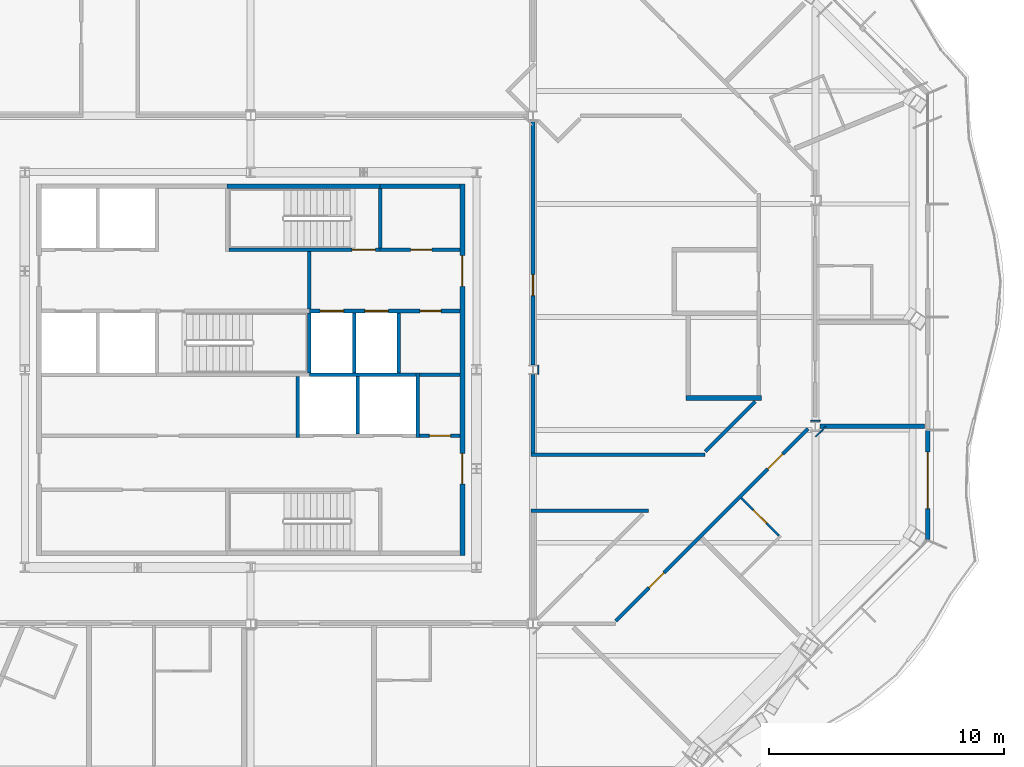
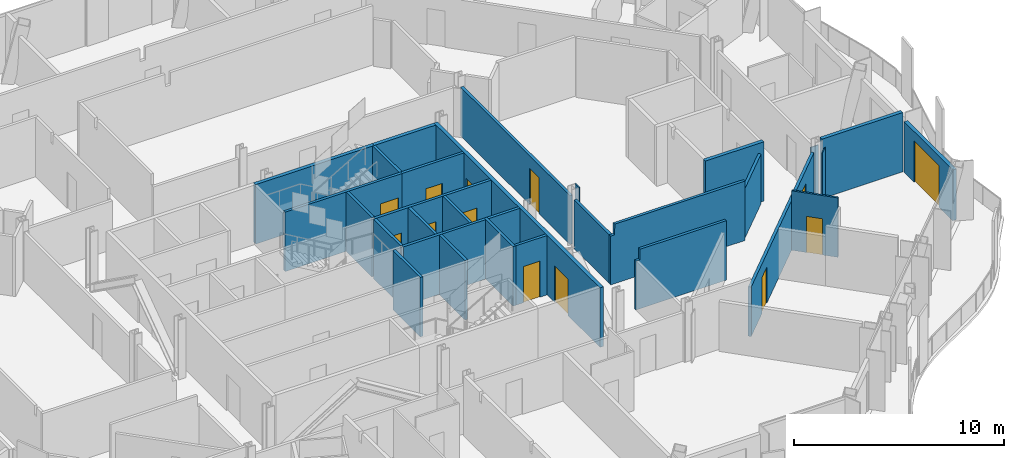
# One storey, part 10 of 22: 30 walls, 13 doors, 13 openings.
"""IFC4 building model written with IfcOpenShell, lengths in metres."""

from ifc_helpers import new_model, si_unit, direction, frame, frame_2d, origin, place, context, subcontext, project, spatial, polyline, rectangle, outline, extrude, material, layer, layer_set, type_object, element, fill, save


model = new_model("IFC4")

# Units and contexts
model_context = context("Model", 3, precision=1e-05, world=origin(), true_north=direction((0.0, 1.0)))
body_context = subcontext(model_context, "Body", "Model", "MODEL_VIEW")
ifc_project = project(units=[si_unit("LENGTHUNIT", "METRE"), si_unit("AREAUNIT", "SQUARE_METRE"), si_unit("VOLUMEUNIT", "CUBIC_METRE"), si_unit("PLANEANGLEUNIT", "RADIAN"), si_unit("MASSUNIT", "GRAM", prefix="KILO")], contexts=[model_context])

# Site, building, storey
site_placement = place(None, origin())
site = spatial("IfcSite", under=ifc_project, at=site_placement, CompositionType="ELEMENT")
building_placement = place(site_placement, origin())
building = spatial("IfcBuilding", under=site, at=building_placement, Name="Cairn Pilgrim Tower", CompositionType="ELEMENT")
storey_placement = place(building_placement, frame((0.0, 0.0, 175.800048828125)))
storey = spatial("IfcBuildingStorey", under=building, at=storey_placement, Name="L44", CompositionType="ELEMENT", Elevation=175.800048828125)

# Wall, opening, door
ifc_material_1 = material(Name="Bronze anodised aluminium insulated sandwich panel with mineral wool fill", Category="aluminium")
ifc_layer_1 = layer(ifc_material_1, 0.199951171875)
ifc_layer_set_1 = layer_set([ifc_layer_1], Name="BRONZE INFILL FRAME WALL 200")
wall_type_1 = type_object("IfcWallType", Name="BRONZE INFILL FRAME WALL 200", PredefinedType="NOTDEFINED", material=ifc_layer_set_1)
wall_1_placement = place(storey_placement, frame((35.97509765625, -4.806396484375, 0.0), z_axis=(0.0, 0.0, 1.0), x_axis=(0.0, 1.0, 0.0)))
wall_1 = element("IfcWall", 1, at=wall_1_placement, inside=storey, type_object=wall_type_1, Name="Bronze infill frame wall IW-E1", PredefinedType="NOTDEFINED", context=body_context, shape_type="SweptSolid", body=[
    extrude(rectangle(XDim=4.62646484375, YDim=0.199951171875, at=frame_2d((2.313232421875, 0.0))), origin(), (0.0, 0.0, 1.0), 2.949951171875),
])
opening_1_placement = place(wall_1_placement, frame((1.308349609375, 0.0, 0.0)))
opening_1 = element("IfcOpeningElement", 2, at=opening_1_placement, cuts=wall_1, Name="Opening 4404B", PredefinedType="OPENING", context=body_context, shape_type="SweptSolid", body=[
    extrude(rectangle(XDim=2.39990234375, YDim=2.39990234375, at=frame_2d((1.199951171875, 1.199951171875))), frame((0.0, 0.10986328125, 0.0), z_axis=(0.0, -1.0, 0.0), x_axis=(1.0, 0.0, 0.0)), (0.0, 0.0, 1.0), 0.219970703125),
])
ifc_material_2 = material(Name="Bronze anodised aluminium frame with tinted low-E glass", Category="aluminium")
door_type_1 = type_object("IfcDoorType", Name="BALCONY SLIDING DOOR 2400x2400", OperationType="DOUBLE_DOOR_SLIDING", PredefinedType="DOOR", material=ifc_material_2)
door_1_placement = place(opening_1_placement, origin())
door_1 = element("IfcDoor", 3, at=door_1_placement, inside=storey, type_object=door_type_1, Name="Balcony sliding door 4404B", OperationType="SINGLE_SWING_LEFT", OverallHeight=2.39990234375, OverallWidth=2.39990234375, PredefinedType="DOOR", context=body_context, shape_type="SweptSolid", body=[
    extrude(rectangle(XDim=2.39990234375, YDim=2.39990234375, at=frame_2d((1.199951171875, 1.199951171875))), frame((0.0, 0.02490234375, 0.0), z_axis=(0.0, -1.0, 0.0), x_axis=(1.0, 0.0, 0.0)), (0.0, 0.0, 1.0), 0.050048828125),
])
fill(opening_1, door_1)

# Wall
ifc_material_3 = material(Name="Concrete C32/40", Category="concrete")
ifc_layer_2 = layer(ifc_material_3, 0.199951171875)
ifc_layer_set_2 = layer_set([ifc_layer_2], Name="CORE OUTER WALL 200 EI 120")
wall_type_2 = type_object("IfcWallType", Name="CORE OUTER WALL 200 EI 120", PredefinedType="SOLIDWALL", material=ifc_layer_set_2)
wall_2_placement = place(storey_placement, frame((12.699951171875, 10.199951171875, 0.0), z_axis=(0.0, 0.0, 1.0), x_axis=(1.0, 0.0, 0.0)))
element("IfcWall", 4, at=wall_2_placement, inside=storey, type_object=wall_type_2, Name="CW:L44:H12-3", PredefinedType="SOLIDWALL", context=body_context, shape_type="SweptSolid", body=[
    extrude(rectangle(XDim=3.400146484375, YDim=0.199951171875, at=frame_2d((1.7001953125, 0.0))), origin(), (0.0, 0.0, 1.0), 3.449951171875),
])

# Wall, openings, doors
wall_3_placement = place(storey_placement, frame((16.199951171875, -5.5, 0.0), z_axis=(0.0, 0.0, 1.0), x_axis=(0.0, 1.0, 0.0)))
wall_3 = element("IfcWall", 5, at=wall_3_placement, inside=storey, type_object=wall_type_2, Name="CW:L44:V29", PredefinedType="SOLIDWALL", context=body_context, shape_type="SweptSolid", body=[
    extrude(rectangle(XDim=15.800048828125, YDim=0.199951171875, at=frame_2d((7.89990234375, 0.0))), origin(), (0.0, 0.0, 1.0), 3.449951171875),
])
opening_2_placement = place(wall_3_placement, frame((3.050048828125, 0.0, 0.0)))
opening_2 = element("IfcOpeningElement", 6, at=opening_2_placement, cuts=wall_3, Name="Opening CD-E1", PredefinedType="OPENING", context=body_context, shape_type="SweptSolid", body=[
    extrude(rectangle(XDim=1.300048828125, YDim=2.10009765625, at=frame_2d((0.64990234375, 1.050048828125))), frame((0.0, 0.10986328125, 0.0), z_axis=(0.0, -1.0, 0.0), x_axis=(1.0, 0.0, 0.0)), (0.0, 0.0, 1.0), 0.219970703125),
])
opening_3_placement = place(wall_3_placement, frame((11.449951171875, 0.0, 0.0)))
opening_3 = element("IfcOpeningElement", 7, at=opening_3_placement, cuts=wall_3, Name="Opening CD-E2", PredefinedType="OPENING", context=body_context, shape_type="SweptSolid", body=[
    extrude(rectangle(XDim=1.300048828125, YDim=2.10009765625, at=frame_2d((0.64990234375, 1.050048828125))), frame((0.0, 0.10986328125, 0.0), z_axis=(0.0, -1.0, 0.0), x_axis=(1.0, 0.0, 0.0)), (0.0, 0.0, 1.0), 0.219970703125),
])
ifc_material_4 = material(Name="Painted steel", Category="steel")
door_type_2 = type_object("IfcDoorType", Name="CORE LOBBY DOOR 1300x2100", OperationType="DOUBLE_DOOR_SINGLE_SWING", PredefinedType="DOOR", material=ifc_material_4)
door_2_placement = place(opening_2_placement, origin())
door_2 = element("IfcDoor", 8, at=door_2_placement, inside=storey, type_object=door_type_2, Name="CD-E1", OperationType="DOUBLE_DOOR_SINGLE_SWING", OverallHeight=2.10009765625, OverallWidth=1.300048828125, PredefinedType="DOOR", context=body_context, shape_type="SweptSolid", body=[
    extrude(rectangle(XDim=1.300048828125, YDim=2.10009765625, at=frame_2d((0.64990234375, 1.050048828125))), frame((0.0, 0.02490234375, 0.0), z_axis=(0.0, -1.0, 0.0), x_axis=(1.0, 0.0, 0.0)), (0.0, 0.0, 1.0), 0.050048828125),
])
fill(opening_2, door_2)
door_3_placement = place(opening_3_placement, origin())
door_3 = element("IfcDoor", 9, at=door_3_placement, inside=storey, type_object=door_type_2, Name="CD-E2", OperationType="DOUBLE_DOOR_SINGLE_SWING", OverallHeight=2.10009765625, OverallWidth=1.300048828125, PredefinedType="DOOR", context=body_context, shape_type="SweptSolid", body=[
    extrude(rectangle(XDim=1.300048828125, YDim=2.10009765625, at=frame_2d((0.64990234375, 1.050048828125))), frame((0.0, 0.02490234375, 0.0), z_axis=(0.0, -1.0, 0.0), x_axis=(1.0, 0.0, 0.0)), (0.0, 0.0, 1.0), 0.050048828125),
])
fill(opening_3, door_3)

# Wall, opening, door
ifc_layer_3 = layer(ifc_material_3, 0.14990234375)
ifc_layer_set_3 = layer_set([ifc_layer_3], Name="CORE PARTITION 150 EI 60")
wall_type_3 = type_object("IfcWallType", Name="CORE PARTITION 150 EI 60", PredefinedType="PARTITIONING", material=ifc_layer_set_3)
wall_4_placement = place(storey_placement, frame((14.375, -0.39990234375, 0.0), z_axis=(0.0, 0.0, 1.0), x_axis=(1.0, 0.0, 0.0)))
wall_4 = element("IfcWall", 10, at=wall_4_placement, inside=storey, type_object=wall_type_3, Name="CW:L44:H06", PredefinedType="PARTITIONING", context=body_context, shape_type="SweptSolid", body=[
    extrude(rectangle(XDim=1.72509765625, YDim=0.14990234375, at=frame_2d((0.862548828125, 0.0))), origin(), (0.0, 0.0, 1.0), 3.449951171875),
])
opening_4_placement = place(wall_4_placement, frame((0.425048828125, 0.0, 0.0)))
opening_4 = element("IfcOpeningElement", 11, at=opening_4_placement, cuts=wall_4, Name="Opening RD-R2E", PredefinedType="OPENING", context=body_context, shape_type="SweptSolid", body=[
    extrude(rectangle(XDim=0.89990234375, YDim=2.10009765625, at=frame_2d((0.449951171875, 1.050048828125))), frame((0.0, 0.0849609375, 0.0), z_axis=(0.0, -1.0, 0.0), x_axis=(1.0, 0.0, 0.0)), (0.0, 0.0, 1.0), 0.169921875),
])
door_type_3 = type_object("IfcDoorType", Name="SERVICE ROOM DOOR 900x2100", OperationType="SINGLE_SWING_LEFT", PredefinedType="DOOR", material=ifc_material_4)
door_4_placement = place(opening_4_placement, origin())
door_4 = element("IfcDoor", 12, at=door_4_placement, inside=storey, type_object=door_type_3, Name="RD-R2E", OperationType="SINGLE_SWING_RIGHT", OverallHeight=2.10009765625, OverallWidth=0.89990234375, PredefinedType="DOOR", context=body_context, shape_type="SweptSolid", body=[
    extrude(rectangle(XDim=0.89990234375, YDim=2.10009765625, at=frame_2d((0.449951171875, 1.050048828125))), frame((0.0, 0.02490234375, 0.0), z_axis=(0.0, -1.0, 0.0), x_axis=(1.0, 0.0, 0.0)), (0.0, 0.0, 1.0), 0.050048828125),
])
fill(opening_4, door_4)

# Walls
wall_5_placement = place(storey_placement, frame((14.375, 2.199951171875, 0.0), z_axis=(0.0, 0.0, 1.0), x_axis=(1.0, 0.0, 0.0)))
element("IfcWall", 13, at=wall_5_placement, inside=storey, type_object=wall_type_3, Name="CW:L44:H08", PredefinedType="PARTITIONING", context=body_context, shape_type="SweptSolid", body=[
    extrude(rectangle(XDim=1.72509765625, YDim=0.14990234375, at=frame_2d((0.862548828125, 0.0))), origin(), (0.0, 0.0, 1.0), 3.449951171875),
])
ifc_layer_4 = layer(ifc_material_3, 0.14990234375)
ifc_layer_set_4 = layer_set([ifc_layer_4], Name="CORE SHAFT WALL 150 EI 120")
wall_type_4 = type_object("IfcWallType", Name="CORE SHAFT WALL 150 EI 120", PredefinedType="SOLIDWALL", material=ifc_layer_set_4)
wall_6_placement = place(storey_placement, frame((9.699951171875, 2.199951171875, 0.0), z_axis=(0.0, 0.0, 1.0), x_axis=(1.0, 0.0, 0.0)))
element("IfcWall", 14, at=wall_6_placement, inside=storey, type_object=wall_type_4, Name="CW:L44:H07-3", PredefinedType="SOLIDWALL", context=body_context, shape_type="SweptSolid", body=[
    extrude(rectangle(XDim=4.525146484375, YDim=0.14990234375, at=frame_2d((2.2626953125, 0.0))), origin(), (0.0, 0.0, 1.0), 3.449951171875),
])

# Wall, openings, doors
wall_7_placement = place(storey_placement, frame((9.699951171875, 4.89990234375, 0.0), z_axis=(0.0, 0.0, 1.0), x_axis=(1.0, 0.0, 0.0)))
wall_7 = element("IfcWall", 15, at=wall_7_placement, inside=storey, type_object=wall_type_4, Name="CW:L44:H09-3", PredefinedType="SOLIDWALL", context=body_context, shape_type="SweptSolid", body=[
    extrude(rectangle(XDim=6.400146484375, YDim=0.14990234375, at=frame_2d((3.2001953125, 0.0))), origin(), (0.0, 0.0, 1.0), 3.449951171875),
])
opening_5_placement = place(wall_7_placement, frame((0.449951171875, 0.0, 0.0)))
opening_5 = element("IfcOpeningElement", 16, at=opening_5_placement, cuts=wall_7, Name="Opening LD-FF1", PredefinedType="OPENING", context=body_context, shape_type="SweptSolid", body=[
    extrude(rectangle(XDim=1.0, YDim=2.10009765625, at=frame_2d((0.5, 1.050048828125))), frame((0.0, 0.0849609375, 0.0), z_axis=(0.0, -1.0, 0.0), x_axis=(1.0, 0.0, 0.0)), (0.0, 0.0, 1.0), 0.169921875),
])
opening_6_placement = place(wall_7_placement, frame((2.35009765625, 0.0, 0.0)))
opening_6 = element("IfcOpeningElement", 17, at=opening_6_placement, cuts=wall_7, Name="Opening LD-FF2", PredefinedType="OPENING", context=body_context, shape_type="SweptSolid", body=[
    extrude(rectangle(XDim=1.0, YDim=2.10009765625, at=frame_2d((0.5, 1.050048828125))), frame((0.0, 0.0849609375, 0.0), z_axis=(0.0, -1.0, 0.0), x_axis=(1.0, 0.0, 0.0)), (0.0, 0.0, 1.0), 0.169921875),
])
opening_7_placement = place(wall_7_placement, frame((4.699951171875, 0.0, 0.0)))
opening_7 = element("IfcOpeningElement", 18, at=opening_7_placement, cuts=wall_7, Name="Opening RD-R3E", PredefinedType="OPENING", context=body_context, shape_type="SweptSolid", body=[
    extrude(rectangle(XDim=0.89990234375, YDim=2.10009765625, at=frame_2d((0.449951171875, 1.050048828125))), frame((0.0, 0.0849609375, 0.0), z_axis=(0.0, -1.0, 0.0), x_axis=(1.0, 0.0, 0.0)), (0.0, 0.0, 1.0), 0.169921875),
])
ifc_material_5 = material(Name="Stainless steel", Category="steel")
door_type_4 = type_object("IfcDoorType", Name="LIFT LANDING DOOR FIRE 1000x2100", OperationType="DOUBLE_DOOR_SLIDING", PredefinedType="DOOR", material=ifc_material_5)
door_5_placement = place(opening_5_placement, origin())
door_5 = element("IfcDoor", 19, at=door_5_placement, inside=storey, type_object=door_type_4, Name="LANDING DOOR FF1", OperationType="DOUBLE_DOOR_SLIDING", OverallHeight=2.10009765625, OverallWidth=1.0, PredefinedType="DOOR", context=body_context, shape_type="SweptSolid", body=[
    extrude(rectangle(XDim=1.0, YDim=2.10009765625, at=frame_2d((0.5, 1.050048828125))), frame((0.0, 0.02490234375, 0.0), z_axis=(0.0, -1.0, 0.0), x_axis=(1.0, 0.0, 0.0)), (0.0, 0.0, 1.0), 0.050048828125),
])
fill(opening_5, door_5)
door_6_placement = place(opening_6_placement, origin())
door_6 = element("IfcDoor", 20, at=door_6_placement, inside=storey, type_object=door_type_4, Name="LANDING DOOR FF2", OperationType="DOUBLE_DOOR_SLIDING", OverallHeight=2.10009765625, OverallWidth=1.0, PredefinedType="DOOR", context=body_context, shape_type="SweptSolid", body=[
    extrude(rectangle(XDim=1.0, YDim=2.10009765625, at=frame_2d((0.5, 1.050048828125))), frame((0.0, 0.02490234375, 0.0), z_axis=(0.0, -1.0, 0.0), x_axis=(1.0, 0.0, 0.0)), (0.0, 0.0, 1.0), 0.050048828125),
])
fill(opening_6, door_6)
door_7_placement = place(opening_7_placement, origin())
door_7 = element("IfcDoor", 21, at=door_7_placement, inside=storey, type_object=door_type_3, Name="RD-R3E", OperationType="SINGLE_SWING_LEFT", OverallHeight=2.10009765625, OverallWidth=0.89990234375, PredefinedType="DOOR", context=body_context, shape_type="SweptSolid", body=[
    extrude(rectangle(XDim=0.89990234375, YDim=2.10009765625, at=frame_2d((0.449951171875, 1.050048828125))), frame((0.0, 0.02490234375, 0.0), z_axis=(0.0, -1.0, 0.0), x_axis=(1.0, 0.0, 0.0)), (0.0, 0.0, 1.0), 0.050048828125),
])
fill(opening_7, door_7)

# Wall, opening, door
wall_8_placement = place(storey_placement, frame((12.699951171875, 7.5, 0.0), z_axis=(0.0, 0.0, 1.0), x_axis=(1.0, 0.0, 0.0)))
wall_8 = element("IfcWall", 22, at=wall_8_placement, inside=storey, type_object=wall_type_4, Name="CW:L44:H11-2", PredefinedType="SOLIDWALL", context=body_context, shape_type="SweptSolid", body=[
    extrude(rectangle(XDim=3.400146484375, YDim=0.14990234375, at=frame_2d((1.7001953125, 0.0))), origin(), (0.0, 0.0, 1.0), 3.449951171875),
])
opening_8_placement = place(wall_8_placement, frame((1.300048828125, 0.0, 0.0)))
opening_8 = element("IfcOpeningElement", 23, at=opening_8_placement, cuts=wall_8, Name="Opening RD-R4E", PredefinedType="OPENING", context=body_context, shape_type="SweptSolid", body=[
    extrude(rectangle(XDim=0.89990234375, YDim=2.10009765625, at=frame_2d((0.449951171875, 1.050048828125))), frame((0.0, 0.0849609375, 0.0), z_axis=(0.0, -1.0, 0.0), x_axis=(1.0, 0.0, 0.0)), (0.0, 0.0, 1.0), 0.169921875),
])
door_8_placement = place(opening_8_placement, origin())
door_8 = element("IfcDoor", 24, at=door_8_placement, inside=storey, type_object=door_type_3, Name="RD-R4E", OperationType="SINGLE_SWING_RIGHT", OverallHeight=2.10009765625, OverallWidth=0.89990234375, PredefinedType="DOOR", context=body_context, shape_type="SweptSolid", body=[
    extrude(rectangle(XDim=0.89990234375, YDim=2.10009765625, at=frame_2d((0.449951171875, 1.050048828125))), frame((0.0, 0.02490234375, 0.0), z_axis=(0.0, -1.0, 0.0), x_axis=(1.0, 0.0, 0.0)), (0.0, 0.0, 1.0), 0.050048828125),
])
fill(opening_8, door_8)

# Walls
wall_9_placement = place(storey_placement, frame((9.199951171875, -0.47509765625, 0.0), z_axis=(0.0, 0.0, 1.0), x_axis=(0.0, 1.0, 0.0)))
element("IfcWall", 25, at=wall_9_placement, inside=storey, type_object=wall_type_4, Name="CW:L44:V20", PredefinedType="SOLIDWALL", context=body_context, shape_type="SweptSolid", body=[
    extrude(rectangle(XDim=2.60009765625, YDim=0.14990234375, at=frame_2d((1.300048828125, 0.0))), origin(), (0.0, 0.0, 1.0), 3.449951171875),
])
wall_10_placement = place(storey_placement, frame((9.699951171875, 4.97509765625, 0.0), z_axis=(0.0, 0.0, 1.0), x_axis=(0.0, 1.0, 0.0)))
element("IfcWall", 26, at=wall_10_placement, inside=storey, type_object=wall_type_4, Name="CW:L44:V22", PredefinedType="SOLIDWALL", context=body_context, shape_type="SweptSolid", body=[
    extrude(rectangle(XDim=2.449951171875, YDim=0.14990234375, at=frame_2d((1.22509765625, 0.0))), origin(), (0.0, 0.0, 1.0), 3.449951171875),
])
wall_11_placement = place(storey_placement, frame((11.60009765625, 2.27490234375, 0.0), z_axis=(0.0, 0.0, 1.0), x_axis=(0.0, 1.0, 0.0)))
element("IfcWall", 27, at=wall_11_placement, inside=storey, type_object=wall_type_4, Name="CW:L44:V23", PredefinedType="SOLIDWALL", context=body_context, shape_type="SweptSolid", body=[
    extrude(rectangle(XDim=2.550048828125, YDim=0.14990234375, at=frame_2d((1.27490234375, 0.0))), origin(), (0.0, 0.0, 1.0), 3.449951171875),
])
wall_12_placement = place(storey_placement, frame((11.75, -0.324951171875, 0.0), z_axis=(0.0, 0.0, 1.0), x_axis=(0.0, 1.0, 0.0)))
element("IfcWall", 28, at=wall_12_placement, inside=storey, type_object=wall_type_4, Name="CW:L44:V24", PredefinedType="SOLIDWALL", context=body_context, shape_type="SweptSolid", body=[
    extrude(rectangle(XDim=2.449951171875, YDim=0.14990234375, at=frame_2d((1.22509765625, 0.0))), origin(), (0.0, 0.0, 1.0), 3.449951171875),
])
wall_13_placement = place(storey_placement, frame((13.5, 2.27490234375, 0.0), z_axis=(0.0, 0.0, 1.0), x_axis=(0.0, 1.0, 0.0)))
element("IfcWall", 29, at=wall_13_placement, inside=storey, type_object=wall_type_4, Name="CW:L44:V27", PredefinedType="SOLIDWALL", context=body_context, shape_type="SweptSolid", body=[
    extrude(rectangle(XDim=2.550048828125, YDim=0.14990234375, at=frame_2d((1.27490234375, 0.0))), origin(), (0.0, 0.0, 1.0), 3.449951171875),
])
wall_14_placement = place(storey_placement, frame((14.300048828125, -0.47509765625, 0.0), z_axis=(0.0, 0.0, 1.0), x_axis=(0.0, 1.0, 0.0)))
element("IfcWall", 30, at=wall_14_placement, inside=storey, type_object=wall_type_4, Name="CW:L44:V28", PredefinedType="SOLIDWALL", context=body_context, shape_type="SweptSolid", body=[
    extrude(rectangle(XDim=2.75, YDim=0.14990234375, at=frame_2d((1.375, 0.0))), origin(), (0.0, 0.0, 1.0), 3.449951171875),
])

# Wall, opening, door
ifc_material_6 = material(Name="Gypsum partition")
ifc_layer_5 = layer(ifc_material_6, 0.10009765625)
ifc_layer_set_5 = layer_set([ifc_layer_5], Name="PARTITION 100 DRYWALL")
wall_type_5 = type_object("IfcWallType", Name="PARTITION 100 DRYWALL", PredefinedType="PARTITIONING", material=ifc_layer_set_5)
wall_15_placement = place(storey_placement, frame((29.66162109375, -4.655517578125, 0.0), z_axis=(0.0, 0.0, 1.0), x_axis=(-0.707160441348, 0.707053116953, 0.0)))
wall_15 = element("IfcWall", 31, at=wall_15_placement, inside=storey, type_object=wall_type_5, Name="PARTITION W035", PredefinedType="PARTITIONING", context=body_context, shape_type="SweptSolid", body=[
    extrude(rectangle(XDim=2.27490234375, YDim=0.10009765625, at=frame_2d((1.137451171875, 0.0))), origin(), (0.0, 0.0, 1.0), 3.449951171875),
])
opening_9_placement = place(wall_15_placement, frame((0.75, 0.0, 0.0)))
opening_9 = element("IfcOpeningElement", 32, at=opening_9_placement, cuts=wall_15, Name="Opening 4404A", PredefinedType="OPENING", context=body_context, shape_type="SweptSolid", body=[
    extrude(rectangle(XDim=0.800048828125, YDim=2.10009765625, at=frame_2d((0.39990234375, 1.050048828125))), frame((0.0, 0.06005859375, 0.0), z_axis=(0.0, -1.0, 0.0), x_axis=(1.0, 0.0, 0.0)), (0.0, 0.0, 1.0), 0.1201171875),
])
ifc_material_7 = material(Name="Timber door leaf", Category="wood")
door_type_5 = type_object("IfcDoorType", Name="WC DOOR 800x2100", OperationType="NOTDEFINED", PredefinedType="DOOR", material=ifc_material_7)
door_9_placement = place(opening_9_placement, frame((0.800048828125, 0.0, 0.0), z_axis=(0.0, 0.0, 1.0), x_axis=(-1.0, 0.0, 0.0)))
door_9 = element("IfcDoor", 33, at=door_9_placement, inside=storey, type_object=door_type_5, Name="DOOR 4404A", OperationType="SINGLE_SWING_RIGHT", OverallHeight=2.10009765625, OverallWidth=0.800048828125, PredefinedType="DOOR", context=body_context, shape_type="SweptSolid", body=[
    extrude(rectangle(XDim=0.800048828125, YDim=2.10009765625, at=frame_2d((0.39990234375, 1.050048828125))), frame((0.0, 0.02490234375, 0.0), z_axis=(0.0, -1.0, 0.0), x_axis=(1.0, 0.0, 0.0)), (0.0, 0.0, 1.0), 0.050048828125),
])
fill(opening_9, door_9)

# Wall, openings, doors
ifc_layer_6 = layer(ifc_material_6, 0.14990234375)
ifc_layer_set_6 = layer_set([ifc_layer_6], Name="PARTITION 150 DRYWALL EI 60")
wall_type_6 = type_object("IfcWallType", Name="PARTITION 150 DRYWALL EI 60", PredefinedType="PARTITIONING", material=ifc_layer_set_6)
wall_16_placement = place(storey_placement, frame((22.721923828125, -8.27197265625, 0.0), z_axis=(0.0, 0.0, 1.0), x_axis=(0.707106781187, 0.707106781187, 0.0)))
wall_16 = element("IfcWall", 34, at=wall_16_placement, inside=storey, type_object=wall_type_6, Name="PARTITION W025", PredefinedType="PARTITIONING", context=body_context, shape_type="SweptSolid", body=[
    extrude(rectangle(XDim=11.549072265625, YDim=0.14990234375, at=frame_2d((5.7744140625, 0.0))), origin(), (0.0, 0.0, 1.0), 2.8798828125),
])
opening_10_placement = place(wall_16_placement, frame((1.9912109375, 0.0, 0.0)))
opening_10 = element("IfcOpeningElement", 35, at=opening_10_placement, cuts=wall_16, Name="Opening 4403", PredefinedType="OPENING", context=body_context, shape_type="SweptSolid", body=[
    extrude(rectangle(XDim=0.89990234375, YDim=2.10009765625, at=frame_2d((0.449951171875, 1.050048828125))), frame((0.0, 0.0849609375, 0.0), z_axis=(0.0, -1.0, 0.0), x_axis=(1.0, 0.0, 0.0)), (0.0, 0.0, 1.0), 0.169921875),
])
opening_11_placement = place(wall_16_placement, frame((9.13134765625, 0.0, 0.0)))
opening_11 = element("IfcOpeningElement", 36, at=opening_11_placement, cuts=wall_16, Name="Opening 4404", PredefinedType="OPENING", context=body_context, shape_type="SweptSolid", body=[
    extrude(rectangle(XDim=0.89990234375, YDim=2.10009765625, at=frame_2d((0.449951171875, 1.050048828125))), frame((0.0, 0.0849609375, 0.0), z_axis=(0.0, -1.0, 0.0), x_axis=(1.0, 0.0, 0.0)), (0.0, 0.0, 1.0), 0.169921875),
])
door_type_6 = type_object("IfcDoorType", Name="ROOM DOOR 900x2100 FD30S", OperationType="NOTDEFINED", PredefinedType="DOOR", material=ifc_material_7)
door_10_placement = place(opening_11_placement, frame((0.89990234375, 0.0, 0.0), z_axis=(0.0, 0.0, 1.0), x_axis=(-1.0, 0.0, 0.0)))
door_10 = element("IfcDoor", 37, at=door_10_placement, inside=storey, type_object=door_type_6, Name="DOOR 4404", OperationType="SINGLE_SWING_RIGHT", OverallHeight=2.10009765625, OverallWidth=0.89990234375, PredefinedType="DOOR", context=body_context, shape_type="SweptSolid", body=[
    extrude(rectangle(XDim=0.89990234375, YDim=2.10009765625, at=frame_2d((0.449951171875, 1.050048828125))), frame((0.0, 0.02490234375, 0.0), z_axis=(0.0, -1.0, 0.0), x_axis=(1.0, 0.0, 0.0)), (0.0, 0.0, 1.0), 0.050048828125),
])
fill(opening_11, door_10)
door_type_7 = type_object("IfcDoorType", Name="SERVICE DOOR 900x2100 FD30S", OperationType="NOTDEFINED", PredefinedType="DOOR", material=ifc_material_7)
door_11_placement = place(opening_10_placement, frame((0.89990234375, 0.0, 0.0), z_axis=(0.0, 0.0, 1.0), x_axis=(-1.0, 0.0, 0.0)))
door_11 = element("IfcDoor", 38, at=door_11_placement, inside=storey, type_object=door_type_7, Name="DOOR 4403", OperationType="SINGLE_SWING_RIGHT", OverallHeight=2.10009765625, OverallWidth=0.89990234375, PredefinedType="DOOR", context=body_context, shape_type="SweptSolid", body=[
    extrude(rectangle(XDim=0.89990234375, YDim=2.10009765625, at=frame_2d((0.449951171875, 1.050048828125))), frame((0.0, 0.02490234375, 0.0), z_axis=(0.0, -1.0, 0.0), x_axis=(1.0, 0.0, 0.0)), (0.0, 0.0, 1.0), 0.050048828125),
])
fill(opening_10, door_11)

# Walls
wall_17_placement = place(storey_placement, frame((19.125, -3.60009765625, 0.0), z_axis=(0.0, 0.0, 1.0), x_axis=(1.0, 0.0, 0.0)))
element("IfcWall", 39, at=wall_17_placement, inside=storey, type_object=wall_type_6, Name="PARTITION W039", PredefinedType="PARTITIONING", context=body_context, shape_type="SweptSolid", body=[
    extrude(outline(polyline([(0.0, 0.0), (4.981201171875, 0.0), (4.981201171875, 3.449951171875), (0.22509765625, 3.449951171875), (0.222900390625, 2.829833984375), (0.0, 2.829833984375), (0.0, 0.0)])), frame((0.0, 0.074951171875, 0.0), z_axis=(0.0, -1.0, 0.0), x_axis=(1.0, 0.0, 0.0)), (0.0, 0.0, 1.0), 0.14990234375),
])
wall_18_placement = place(storey_placement, frame((19.125, -1.199951171875, 0.0), z_axis=(0.0, 0.0, 1.0), x_axis=(1.0, 0.0, 0.0)))
element("IfcWall", 40, at=wall_18_placement, inside=storey, type_object=wall_type_6, Name="PARTITION W043", PredefinedType="PARTITIONING", context=body_context, shape_type="SweptSolid", body=[
    extrude(outline(polyline([(0.0, 0.0), (7.381103515625, 0.0), (7.381103515625, 3.449951171875), (0.22509765625, 3.449951171875), (0.222900390625, 2.829833984375), (0.0, 2.829833984375), (0.0, 0.0)])), frame((0.0, 0.074951171875, 0.0), z_axis=(0.0, -1.0, 0.0), x_axis=(1.0, 0.0, 0.0)), (0.0, 0.0, 1.0), 0.14990234375),
])
wall_19_placement = place(storey_placement, frame((19.199951171875, -1.125, 0.0), z_axis=(0.0, 0.0, 1.0), x_axis=(0.0, 1.0, 0.0)))
element("IfcWall", 41, at=wall_19_placement, inside=storey, type_object=wall_type_6, Name="PARTITION W046", PredefinedType="PARTITIONING", context=body_context, shape_type="SweptSolid", body=[
    extrude(rectangle(XDim=3.32861328125, YDim=0.14990234375, at=frame_2d((1.664306640625, 0.0))), origin(), (0.0, 0.0, 1.0), 2.829833984375),
])
wall_20_placement = place(storey_placement, frame((26.528076171875, -1.072021484375, 0.0), z_axis=(0.0, 0.0, 1.0), x_axis=(0.707106781187, 0.707106781187, 0.0)))
element("IfcWall", 42, at=wall_20_placement, inside=storey, type_object=wall_type_6, Name="PARTITION W047", PredefinedType="PARTITIONING", context=body_context, shape_type="SweptSolid", body=[
    extrude(rectangle(XDim=2.99658203125, YDim=0.14990234375, at=frame_2d((1.498291015625, 0.0))), origin(), (0.0, 0.0, 1.0), 2.8798828125),
])

# Wall, opening, door
wall_21_placement = place(storey_placement, frame((19.199951171875, 2.596435546875, 0.0), z_axis=(0.0, 0.0, 1.0), x_axis=(0.0, 1.0, 0.0)))
wall_21 = element("IfcWall", 43, at=wall_21_placement, inside=storey, type_object=wall_type_6, Name="PARTITION W057", PredefinedType="PARTITIONING", context=body_context, shape_type="SweptSolid", body=[
    extrude(rectangle(XDim=10.406982421875, YDim=0.14990234375, at=frame_2d((5.20361328125, 0.0))), origin(), (0.0, 0.0, 1.0), 2.829833984375),
])
opening_12_placement = place(wall_21_placement, frame((2.95361328125, 0.0, 0.0)))
opening_12 = element("IfcOpeningElement", 44, at=opening_12_placement, cuts=wall_21, Name="Opening 4426", PredefinedType="OPENING", context=body_context, shape_type="SweptSolid", body=[
    extrude(rectangle(XDim=0.89990234375, YDim=2.10009765625, at=frame_2d((0.449951171875, 1.050048828125))), frame((0.0, 0.0849609375, 0.0), z_axis=(0.0, -1.0, 0.0), x_axis=(1.0, 0.0, 0.0)), (0.0, 0.0, 1.0), 0.169921875),
])
door_12_placement = place(opening_12_placement, frame((0.89990234375, 0.0, 0.0), z_axis=(0.0, 0.0, 1.0), x_axis=(-1.0, 0.0, 0.0)))
door_12 = element("IfcDoor", 45, at=door_12_placement, inside=storey, type_object=door_type_7, Name="DOOR 4426", OperationType="SINGLE_SWING_RIGHT", OverallHeight=2.10009765625, OverallWidth=0.89990234375, PredefinedType="DOOR", context=body_context, shape_type="SweptSolid", body=[
    extrude(rectangle(XDim=0.89990234375, YDim=2.10009765625, at=frame_2d((0.449951171875, 1.050048828125))), frame((0.0, 0.02490234375, 0.0), z_axis=(0.0, -1.0, 0.0), x_axis=(1.0, 0.0, 0.0)), (0.0, 0.0, 1.0), 0.050048828125),
])
fill(opening_12, door_12)

# Walls
ifc_layer_7 = layer(ifc_material_6, 0.050048828125)
ifc_layer_set_7 = layer_set([ifc_layer_7], Name="PARTITION 50 DRYWALL EI 60")
wall_type_7 = type_object("IfcWallType", Name="PARTITION 50 DRYWALL EI 60", PredefinedType="PARTITIONING", material=ifc_layer_set_7)
wall_22_placement = place(storey_placement, frame((31.2177734375, -0.434814453125, 0.0), z_axis=(0.0, 0.0, 1.0), x_axis=(0.706899813022, 0.70731368879, 0.0)))
element("IfcWall", 46, at=wall_22_placement, inside=storey, type_object=wall_type_7, Name="COLUMN CASING WC18", PredefinedType="PARTITIONING", context=body_context, shape_type="SweptSolid", body=[
    extrude(rectangle(XDim=0.58984375, YDim=0.050048828125, at=frame_2d((0.294921875, 0.0))), origin(), (0.0, 0.0, 1.0), 2.929931640625),
])
wall_23_placement = place(storey_placement, frame((19.424560546875, 2.20361328125, 0.0), z_axis=(0.0, 0.0, 1.0), x_axis=(0.0, 1.0, 0.0)))
element("IfcWall", 47, at=wall_23_placement, inside=storey, type_object=wall_type_7, Name="COLUMN CASING WC25", PredefinedType="PARTITIONING", context=body_context, shape_type="SweptSolid", body=[
    extrude(rectangle(XDim=0.392822265625, YDim=0.050048828125, at=frame_2d((0.1962890625, 0.0))), origin(), (0.0, 0.0, 1.0), 3.449951171875),
])
wall_24_placement = place(storey_placement, frame((30.99560546875, 0.237548828125, 0.0), z_axis=(0.0, 0.0, 1.0), x_axis=(1.0, 0.0, 0.0)))
element("IfcWall", 48, at=wall_24_placement, inside=storey, type_object=wall_type_7, Name="COLUMN CASING WC27", PredefinedType="PARTITIONING", context=body_context, shape_type="SweptSolid", body=[
    extrude(rectangle(XDim=0.408935546875, YDim=0.050048828125, at=frame_2d((0.20458984375, 0.0))), origin(), (0.0, 0.0, 1.0), 2.929931640625),
])
ifc_layer_8 = layer(ifc_material_6, 0.199951171875)
ifc_layer_set_8 = layer_set([ifc_layer_8], Name="SHAFT WALL 200 GYPSUM EI 60")
wall_type_8 = type_object("IfcWallType", Name="SHAFT WALL 200 GYPSUM EI 60", PredefinedType="PARTITIONING", material=ifc_layer_set_8)
wall_25_placement = place(storey_placement, frame((31.404541015625, 0.0, 0.0), z_axis=(0.0, 0.0, 1.0), x_axis=(1.0, 0.0, 0.0)))
element("IfcWall", 49, at=wall_25_placement, inside=storey, type_object=wall_type_8, Name="PARTITION W048", PredefinedType="PARTITIONING", context=body_context, shape_type="SweptSolid", body=[
    extrude(rectangle(XDim=4.4404296875, YDim=0.199951171875, at=frame_2d((2.22021484375, 0.0))), origin(), (0.0, 0.0, 1.0), 3.449951171875),
])
wall_26_placement = place(storey_placement, frame((25.699951171875, 1.199951171875, 0.0), z_axis=(0.0, 0.0, 1.0), x_axis=(1.0, 0.0, 0.0)))
element("IfcWall", 50, at=wall_26_placement, inside=storey, type_object=wall_type_8, Name="PARTITION W051", PredefinedType="PARTITIONING", context=body_context, shape_type="SweptSolid", body=[
    extrude(rectangle(XDim=3.216552734375, YDim=0.199951171875, at=frame_2d((1.6083984375, 0.0))), origin(), (0.0, 0.0, 1.0), 3.449951171875),
])

# Wall, opening, door
ifc_material_8 = material(Name="Concrete C35/45", Category="concrete")
ifc_layer_9 = layer(ifc_material_8, 0.14990234375)
ifc_layer_set_9 = layer_set([ifc_layer_9], Name="STAIR SHAFT WALL 150 EI 120")
wall_type_9 = type_object("IfcWallType", Name="STAIR SHAFT WALL 150 EI 120", PredefinedType="SOLIDWALL", material=ifc_layer_set_9)
wall_27_placement = place(storey_placement, frame((6.27490234375, 7.5, 0.0), z_axis=(0.0, 0.0, 1.0), x_axis=(1.0, 0.0, 0.0)))
wall_27 = element("IfcWall", 51, at=wall_27_placement, inside=storey, type_object=wall_type_9, Name="CW:L44:H11-1", PredefinedType="SOLIDWALL", context=body_context, shape_type="SweptSolid", body=[
    extrude(rectangle(XDim=6.425048828125, YDim=0.14990234375, at=frame_2d((3.21240234375, 0.0))), origin(), (0.0, 0.0, 1.0), 3.449951171875),
])
opening_13_placement = place(wall_27_placement, frame((5.22509765625, 0.0, 0.0)))
opening_13 = element("IfcOpeningElement", 52, at=opening_13_placement, cuts=wall_27, Name="Opening SD-C", PredefinedType="OPENING", context=body_context, shape_type="SweptSolid", body=[
    extrude(rectangle(XDim=1.0, YDim=2.10009765625, at=frame_2d((0.5, 1.050048828125))), frame((0.0, 0.0849609375, 0.0), z_axis=(0.0, -1.0, 0.0), x_axis=(1.0, 0.0, 0.0)), (0.0, 0.0, 1.0), 0.169921875),
])
door_type_8 = type_object("IfcDoorType", Name="STAIR DOOR FD60S 1000x2100", OperationType="SINGLE_SWING_LEFT", PredefinedType="DOOR", material=ifc_material_4)
door_13_placement = place(opening_13_placement, origin())
door_13 = element("IfcDoor", 53, at=door_13_placement, inside=storey, type_object=door_type_8, Name="SD-C", OperationType="SINGLE_SWING_LEFT", OverallHeight=2.10009765625, OverallWidth=1.0, PredefinedType="DOOR", context=body_context, shape_type="SweptSolid", body=[
    extrude(rectangle(XDim=1.0, YDim=2.10009765625, at=frame_2d((0.5, 1.050048828125))), frame((0.0, 0.02490234375, 0.0), z_axis=(0.0, -1.0, 0.0), x_axis=(1.0, 0.0, 0.0)), (0.0, 0.0, 1.0), 0.050048828125),
])
fill(opening_13, door_13)

# Walls
wall_28_placement = place(storey_placement, frame((9.699951171875, 2.27490234375, 0.0), z_axis=(0.0, 0.0, 1.0), x_axis=(0.0, 1.0, 0.0)))
element("IfcWall", 54, at=wall_28_placement, inside=storey, type_object=wall_type_9, Name="CW:L44:V21", PredefinedType="SOLIDWALL", context=body_context, shape_type="SweptSolid", body=[
    extrude(rectangle(XDim=2.550048828125, YDim=0.14990234375, at=frame_2d((1.27490234375, 0.0))), origin(), (0.0, 0.0, 1.0), 3.449951171875),
])
wall_29_placement = place(storey_placement, frame((12.699951171875, 7.574951171875, 0.0), z_axis=(0.0, 0.0, 1.0), x_axis=(0.0, 1.0, 0.0)))
element("IfcWall", 55, at=wall_29_placement, inside=storey, type_object=wall_type_9, Name="CW:L44:V26", PredefinedType="SOLIDWALL", context=body_context, shape_type="SweptSolid", body=[
    extrude(rectangle(XDim=2.525146484375, YDim=0.14990234375, at=frame_2d((1.2626953125, 0.0))), origin(), (0.0, 0.0, 1.0), 3.449951171875),
])
ifc_layer_10 = layer(ifc_material_8, 0.199951171875)
ifc_layer_set_10 = layer_set([ifc_layer_10], Name="STAIR SHAFT WALL 200 EI 120")
wall_type_10 = type_object("IfcWallType", Name="STAIR SHAFT WALL 200 EI 120", PredefinedType="SOLIDWALL", material=ifc_layer_set_10)
wall_30_placement = place(storey_placement, frame((6.199951171875, 10.199951171875, 0.0), z_axis=(0.0, 0.0, 1.0), x_axis=(1.0, 0.0, 0.0)))
element("IfcWall", 56, at=wall_30_placement, inside=storey, type_object=wall_type_10, Name="CW:L44:H12-2", PredefinedType="SOLIDWALL", context=body_context, shape_type="SweptSolid", body=[
    extrude(rectangle(XDim=6.5, YDim=0.199951171875, at=frame_2d((3.25, 0.0))), origin(), (0.0, 0.0, 1.0), 3.449951171875),
])

save(model, "model.ifc")
